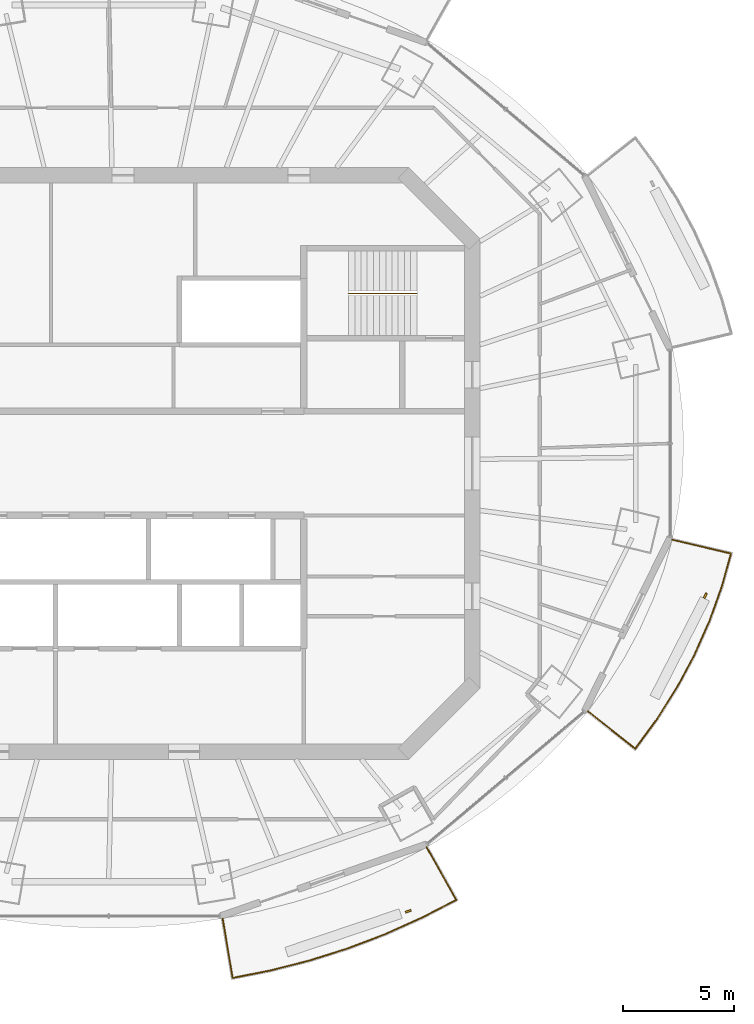
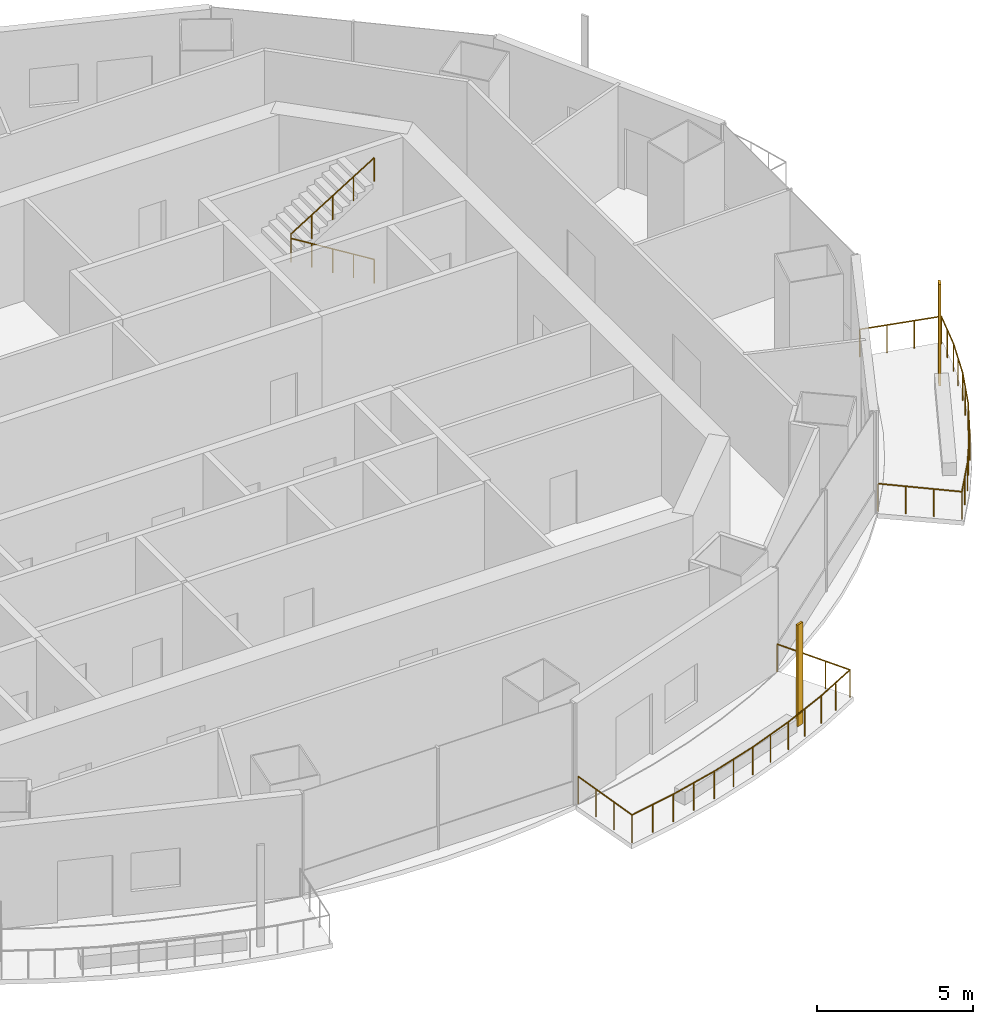
# One storey, part 13 of 16: 3 railings, 2 shading devices.
"""IFC4 building model written with IfcOpenShell, lengths in metres."""

import ifcopenshell
import ifcopenshell.guid

model = None  # the IFC model being written
_history = None  # IfcOwnerHistory: only IFC2X3 demands one
_inside = {}  # id of a spatial element -> (the spatial element, [elements in it])
_under = {}  # id of a project, library or spatial element -> (it, [spatial elements below it])
_declared = {}  # id of a project -> (the project, [libraries it declares])
_typed = {}  # id of a type object -> (the type object, [elements of that type])
_made_of = {}  # id of a material, layer set ... -> (it, [elements and type objects made of it])


def new_model(schema):
    """Start an empty IFC model of exactly this schema.

    Asked for "IFC4X3", IfcOpenShell would pick the latest addendum, in which some entities
    have other attributes; the version numbers below select the first issue.
    IFC2X3 requires an IfcOwnerHistory on every rooted entity: one is made here for all.
    """
    global model, _history
    if schema == "IFC4X3":
        model = ifcopenshell.file(schema_version=(4, 3, 0, 0))
    else:
        model = ifcopenshell.file(schema=schema)
    _inside.clear()
    _under.clear()
    _declared.clear()
    _typed.clear()
    _made_of.clear()
    _history = None
    if model.schema == "IFC2X3":
        org = make("IfcOrganization", Name="unknown")
        user = make(
            "IfcPersonAndOrganization",
            ThePerson=make("IfcPerson", FamilyName="unknown"),
            TheOrganization=org,
        )
        app = make(
            "IfcApplication",
            ApplicationDeveloper=org,
            Version="unknown",
            ApplicationFullName="unknown",
            ApplicationIdentifier="unknown",
        )
        _history = make(
            "IfcOwnerHistory",
            OwningUser=user,
            OwningApplication=app,
            ChangeAction="ADDED",
            CreationDate=0,
        )
    return model


def make(cls, **values):
    """One entity of the class cls with the attributes given. An attribute that is None is left unset."""
    return model.create_entity(
        cls, **{name: value for name, value in values.items() if value is not None}
    )


def rooted(cls, **values):
    """An entity with a GlobalId (a new one), such as an element, a storey or a relation."""
    return make(cls, GlobalId=ifcopenshell.guid.new(), OwnerHistory=_history, **values)


def si_unit(unit_type, name, prefix=None):
    """IfcSIUnit, for example si_unit("LENGTHUNIT", "METRE", prefix="MILLI")."""
    return make("IfcSIUnit", UnitType=unit_type, Prefix=prefix, Name=name)


def assignment(units):
    """IfcUnitAssignment: the units of a project."""
    return None if units is None else make("IfcUnitAssignment", Units=units)


def point(xyz):
    """IfcCartesianPoint."""
    return None if xyz is None else make("IfcCartesianPoint", Coordinates=xyz)


def direction(xyz):
    """IfcDirection."""
    return None if xyz is None else make("IfcDirection", DirectionRatios=xyz)


def frame(location, z_axis=None, x_axis=None):
    """IfcAxis2Placement3D, a coordinate frame: its origin and axes. An axis left out is left unset."""
    return make(
        "IfcAxis2Placement3D",
        Location=point(location),
        Axis=direction(z_axis),
        RefDirection=direction(x_axis),
    )


def frame_2d(location, x_axis=None):
    """IfcAxis2Placement2D, a coordinate frame in the plane: its origin and x axis."""
    return make(
        "IfcAxis2Placement2D", Location=point(location), RefDirection=direction(x_axis)
    )


def origin():
    """The frame at (0, 0, 0) with its axes left unset."""
    return frame((0.0, 0.0, 0.0))


def origin_2d():
    """The frame at (0, 0) in the plane with its x axis left unset."""
    return frame_2d((0.0, 0.0))


def place(relative_to, where):
    """IfcLocalPlacement: puts the frame where relative to a parent placement (None: the world)."""
    return make(
        "IfcLocalPlacement", PlacementRelTo=relative_to, RelativePlacement=where
    )


def context(
    kind, dimensions, precision=None, world=None, true_north=None, identifier=None
):
    """IfcGeometricRepresentationContext, for example the 3D "Model" context."""
    return make(
        "IfcGeometricRepresentationContext",
        ContextIdentifier=identifier,
        ContextType=kind,
        CoordinateSpaceDimension=dimensions,
        Precision=precision,
        WorldCoordinateSystem=world,
        TrueNorth=true_north,
    )


def subcontext(parent, identifier, kind, view, scale=None):
    """IfcGeometricRepresentationSubContext, for example "Body" below "Model"."""
    return make(
        "IfcGeometricRepresentationSubContext",
        ContextIdentifier=identifier,
        ContextType=kind,
        ParentContext=parent,
        TargetScale=scale,
        TargetView=view,
    )


def project(units=None, contexts=None):
    """IfcProject with its units and contexts."""
    return rooted(
        "IfcProject",
        Name="project",
        RepresentationContexts=contexts,
        UnitsInContext=assignment(units),
    )


def spatial(cls, under=None, at=None, **own):
    """A site, building, storey or space (cls), placed at a placement, below another one or the project."""
    s = rooted(cls, ObjectPlacement=at, **own)
    if under is not None:
        _under.setdefault(under.id(), (under, []))[1].append(s)
    return s


def profile(cls, at=None, kind="AREA", **sizes):
    """A parametric profile (cls). Its sizes go by their IFC names, for example OverallWidth=200.0."""
    return make(cls, ProfileType=kind, Position=at, **sizes)


def rectangle(**sizes):
    """IfcRectangleProfileDef."""
    return profile("IfcRectangleProfileDef", **sizes)


def circle(**sizes):
    """IfcCircleProfileDef."""
    return profile("IfcCircleProfileDef", **sizes)


def extrude(swept, where, along, depth):
    """IfcExtrudedAreaSolid: the profile swept, set in the frame where, extruded along a direction by depth."""
    return make(
        "IfcExtrudedAreaSolid",
        SweptArea=swept,
        Position=where,
        ExtrudedDirection=direction(along),
        Depth=depth,
    )


def shape(context_of_items, identifier, shape_type, items):
    """IfcShapeRepresentation: the items that make up one representation, for example the "Body"."""
    return make(
        "IfcShapeRepresentation",
        ContextOfItems=context_of_items,
        RepresentationIdentifier=identifier,
        RepresentationType=shape_type,
        Items=items,
    )


def material(Name=None, Category=None):
    """IfcMaterial."""
    return make("IfcMaterial", Name=Name, Category=Category)


def material_profile(
    of_material, cross_section, Name=None, Category=None, Priority=None
):
    """IfcMaterialProfile: a cross section and its material."""
    return make(
        "IfcMaterialProfile",
        Name=Name,
        Material=of_material,
        Profile=cross_section,
        Priority=Priority,
        Category=Category,
    )


def profile_set(profiles, Name=None, composite=None):
    """IfcMaterialProfileSet."""
    return make(
        "IfcMaterialProfileSet",
        Name=Name,
        MaterialProfiles=profiles,
        CompositeProfile=composite,
    )


def made_of(thing, what):
    """Note that an element or type object is made of a material, layer set ...; save() writes the relation."""
    if what is not None:
        _made_of.setdefault(what.id(), (what, []))[1].append(thing)
    return thing


def type_object(cls, material=None, **own):
    """A type object (cls), such as IfcWallType, which elements share."""
    return made_of(rooted(cls, **own), material)


def element(
    cls,
    number,
    at=None,
    inside=None,
    cuts=None,
    type_object=None,
    material=None,
    context=None,
    identifier="Body",
    shape_type=None,
    held_by="IfcProductDefinitionShape",
    body=None,
    shapes=None,
    **own,
):
    """One element of the class cls, such as IfcWall. Its Tag is "e" and its number.

    at: its placement. inside: the storey or other place that contains it. cuts: it is an
    opening in that element (IfcRelVoidsElement). A single representation is given by context,
    identifier, shape_type and body (its items); several are given by shapes. held_by: the class
    of the entity that holds the representations. save() writes the other relations.
    """
    e = rooted(cls, Tag="e%d" % number, ObjectPlacement=at, **own)
    if body is not None:
        shapes = [shape(context, identifier, shape_type, body)]
    if shapes is not None:
        e.Representation = make(held_by, Representations=shapes)
    if inside is not None:
        _inside.setdefault(inside.id(), (inside, []))[1].append(e)
    if cuts is not None:
        rooted(
            "IfcRelVoidsElement", RelatingBuildingElement=cuts, RelatedOpeningElement=e
        )
    if type_object is not None:
        _typed.setdefault(type_object.id(), (type_object, []))[1].append(e)
    return made_of(e, material)


def aggregate(whole, parts):
    """IfcRelAggregates: a whole, such as a stair, and the parts it consists of."""
    return rooted("IfcRelAggregates", RelatingObject=whole, RelatedObjects=parts)


def save(model, path):
    """Write the relations noted so far, then the file.

    IfcRelAggregates (storeys below a building ...), IfcRelContainedInSpatialStructure (elements
    in a storey), IfcRelDefinesByType, IfcRelAssociatesMaterial and IfcRelDeclares: one each for
    every whole, place, type object, material and project.
    """
    for whole, parts in _under.values():
        aggregate(whole, parts)
    for where, things in _inside.values():
        rooted(
            "IfcRelContainedInSpatialStructure",
            RelatedElements=things,
            RelatingStructure=where,
        )
    for kind, things in _typed.values():
        rooted("IfcRelDefinesByType", RelatedObjects=things, RelatingType=kind)
    for what, things in _made_of.values():
        rooted("IfcRelAssociatesMaterial", RelatedObjects=things, RelatingMaterial=what)
    for by, libraries in _declared.values():
        rooted("IfcRelDeclares", RelatingContext=by, RelatedDefinitions=libraries)
    model.write(path)


model = new_model("IFC4")

# Units and contexts
model_context = context("Model", 3, precision=1e-05, world=origin(), true_north=direction((0.0, 1.0)))
body_context = subcontext(model_context, "Body", "Model", "MODEL_VIEW")
ifc_project = project(units=[si_unit("LENGTHUNIT", "METRE"), si_unit("AREAUNIT", "SQUARE_METRE"), si_unit("VOLUMEUNIT", "CUBIC_METRE"), si_unit("PLANEANGLEUNIT", "RADIAN"), si_unit("MASSUNIT", "GRAM", prefix="KILO")], contexts=[model_context])

# Site, building, storey
site_placement = place(None, origin())
site = spatial("IfcSite", under=ifc_project, at=site_placement, CompositionType="ELEMENT")
building_placement = place(site_placement, origin())
building = spatial("IfcBuilding", under=site, at=building_placement, Name="Marenthal Gate Tower", CompositionType="ELEMENT")
storey_placement = place(building_placement, frame((0.0, 0.0, 371.64990234375)))
storey = spatial("IfcBuildingStorey", under=building, at=storey_placement, Name="L84", CompositionType="ELEMENT", Elevation=371.64990234375)

# Railings
ifc_material_1 = material(Name="Stainless steel", Category="steel")
railing_type_1 = type_object("IfcRailingType", Name="Balcony guard 1100", PredefinedType="GUARDRAIL", material=ifc_material_1)
railing_1_placement = place(storey_placement, frame((13.94287109375, -17.3193359375, 0.0)))
element("IfcRailing", 1, at=railing_1_placement, inside=storey, type_object=railing_type_1, Name="Balcony guard L84 bay 13", PredefinedType="GUARDRAIL", context=body_context, shape_type="SweptSolid", body=[
    extrude(circle(Radius=0.02392578125, at=origin_2d()), frame((0.0, 0.0, 1.076171875), z_axis=(0.491022437076, -0.871024081854, -0.014629255574), x_axis=(0.871117302978, 0.491074988624, 0.0)), (0.0, 0.0, 1.0), 2.72021484375),
    extrude(circle(Radius=0.02392578125, at=origin_2d()), frame((1.335693359375, -2.369384765625, 1.0361328125), z_axis=(-0.886322623965, -0.463068252257, 0.0), x_axis=(0.463068252257, -0.886322623965, 0.0)), (0.0, 0.0, 1.0), 1.7109375),
    extrude(circle(Radius=0.02392578125, at=origin_2d()), frame((-0.1806640625, -3.16162109375, 1.0361328125), z_axis=(-0.911738959801, -0.410770092851, 0.0), x_axis=(0.410770092851, -0.911738959801, 0.0)), (0.0, 0.0, 1.0), 1.802734375),
    extrude(circle(Radius=0.02392578125, at=origin_2d()), frame((-1.82421875, -3.902099609375, 1.0361328125), z_axis=(-0.934175957833, -0.356812667665, 0.0), x_axis=(0.356812667665, -0.934175957833, 0.0)), (0.0, 0.0, 1.0), 1.813232421875),
    extrude(circle(Radius=0.02392578125, at=origin_2d()), frame((-3.51806640625, -4.549072265625, 1.0361328125), z_axis=(-0.953191090515, -0.302368558158, 0.0), x_axis=(0.302368558158, -0.953191090515, 0.0)), (0.0, 0.0, 1.0), 1.822265625),
    extrude(circle(Radius=0.02392578125, at=origin_2d()), frame((-5.255126953125, -5.10009765625, 1.0361328125), z_axis=(-0.968818339515, -0.247772123168, 0.0), x_axis=(0.247772123168, -0.968818339515, 0.0)), (0.0, 0.0, 1.0), 1.830810546875),
    extrude(circle(Radius=0.02392578125, at=origin_2d()), frame((-7.02880859375, -5.5537109375, 1.0361328125), z_axis=(-0.980989908715, -0.194058751412, 0.0), x_axis=(0.194058751412, -0.980989908715, 0.0)), (0.0, 0.0, 1.0), 1.757568359375),
    extrude(circle(Radius=0.02392578125, at=origin_2d()), frame((-8.7529296875, -5.894775390625, 1.0361328125), z_axis=(-0.165414674791, 0.986115589761, 0.014629729783), x_axis=(-0.986221135368, -0.165432379401, 0.0)), (0.0, 0.0, 1.0), 2.72021484375),
    extrude(circle(Radius=0.02099609375, at=origin_2d()), origin(), (0.0, 0.0, 1.0), 1.052001953125),
    extrude(circle(Radius=0.02099609375, at=origin_2d()), frame((0.4453125, -0.789794921875, -0.01318359375)), (0.0, 0.0, 1.0), 1.052001953125),
    extrude(circle(Radius=0.02099609375, at=origin_2d()), frame((0.890380859375, -1.57958984375, -0.026611328125)), (0.0, 0.0, 1.0), 1.052001953125),
    extrude(circle(Radius=0.02099609375, at=origin_2d()), frame((1.335693359375, -2.369384765625, -0.039794921875)), (0.0, 0.0, 1.0), 1.052001953125),
    extrude(circle(Radius=0.02099609375, at=origin_2d()), frame((0.57763671875, -2.765625, -0.039794921875)), (0.0, 0.0, 1.0), 1.052001953125),
    extrude(circle(Radius=0.02099609375, at=origin_2d()), frame((-0.1806640625, -3.16162109375, -0.039794921875)), (0.0, 0.0, 1.0), 1.052001953125),
    extrude(circle(Radius=0.02099609375, at=origin_2d()), frame((-1.00244140625, -3.53173828125, -0.039794921875)), (0.0, 0.0, 1.0), 1.052001953125),
    extrude(circle(Radius=0.02099609375, at=origin_2d()), frame((-1.82421875, -3.902099609375, -0.039794921875)), (0.0, 0.0, 1.0), 1.052001953125),
    extrude(circle(Radius=0.02099609375, at=origin_2d()), frame((-2.671142578125, -4.2255859375, -0.039794921875)), (0.0, 0.0, 1.0), 1.052001953125),
    extrude(circle(Radius=0.02099609375, at=origin_2d()), frame((-3.51806640625, -4.549072265625, -0.039794921875)), (0.0, 0.0, 1.0), 1.052001953125),
    extrude(circle(Radius=0.02099609375, at=origin_2d()), frame((-4.38671875, -4.82470703125, -0.039794921875)), (0.0, 0.0, 1.0), 1.052001953125),
    extrude(circle(Radius=0.02099609375, at=origin_2d()), frame((-5.255126953125, -5.10009765625, -0.039794921875)), (0.0, 0.0, 1.0), 1.052001953125),
    extrude(circle(Radius=0.02099609375, at=origin_2d()), frame((-6.14208984375, -5.326904296875, -0.039794921875)), (0.0, 0.0, 1.0), 1.052001953125),
    extrude(circle(Radius=0.02099609375, at=origin_2d()), frame((-7.02880859375, -5.5537109375, -0.039794921875)), (0.0, 0.0, 1.0), 1.052001953125),
    extrude(circle(Radius=0.02099609375, at=origin_2d()), frame((-7.890869140625, -5.72412109375, -0.039794921875)), (0.0, 0.0, 1.0), 1.052001953125),
    extrude(circle(Radius=0.02099609375, at=origin_2d()), frame((-8.7529296875, -5.894775390625, -0.039794921875)), (0.0, 0.0, 1.0), 1.052001953125),
    extrude(circle(Radius=0.02099609375, at=origin_2d()), frame((-8.90283203125, -5.000732421875, -0.026611328125)), (0.0, 0.0, 1.0), 1.052001953125),
    extrude(circle(Radius=0.02099609375, at=origin_2d()), frame((-9.052978515625, -4.1064453125, -0.01318359375)), (0.0, 0.0, 1.0), 1.052001953125),
    extrude(circle(Radius=0.02099609375, at=origin_2d()), frame((-9.202880859375, -3.21240234375, 0.0)), (0.0, 0.0, 1.0), 1.052001953125),
])
railing_2_placement = place(storey_placement, frame((25.025146484375, -3.443359375, 0.0)))
element("IfcRailing", 2, at=railing_2_placement, inside=storey, type_object=railing_type_1, Name="Balcony guard L84 bay 15", PredefinedType="GUARDRAIL", context=body_context, shape_type="SweptSolid", body=[
    extrude(circle(Radius=0.02392578125, at=origin_2d()), frame((0.0, 0.0, 1.076171875), z_axis=(0.973203437972, -0.229480006538, -0.014628565141), x_axis=(0.229504564257, 0.973307584983, 0.0)), (0.0, 0.0, 1.0), 2.720458984375),
    extrude(circle(Radius=0.02392578125, at=origin_2d()), frame((2.6474609375, -0.624267578125, 1.0361328125), z_axis=(-0.268460599739, -0.963290665577, 0.0), x_axis=(0.963290665577, -0.268460599739, 0.0)), (0.0, 0.0, 1.0), 1.572265625),
    extrude(circle(Radius=0.02392578125, at=origin_2d()), frame((2.225341796875, -2.138916015625, 1.0361328125), z_axis=(-0.338563156163, -0.940943669562, 0.0), x_axis=(0.940943669562, -0.338563156163, 0.0)), (0.0, 0.0, 1.0), 1.6591796875),
    extrude(circle(Radius=0.02392578125, at=origin_2d()), frame((1.66357421875, -3.7001953125, 1.0361328125), z_axis=(-0.407659561492, -0.913133989031, 0.0), x_axis=(0.913133989031, -0.407659561492, 0.0)), (0.0, 0.0, 1.0), 1.667236328125),
    extrude(circle(Radius=0.02392578125, at=origin_2d()), frame((0.98388671875, -5.22265625, 1.0361328125), z_axis=(-0.473457232822, -0.880816807679, 0.0), x_axis=(0.880816807679, -0.473457232822, 0.0)), (0.0, 0.0, 1.0), 1.677001953125),
    extrude(circle(Radius=0.02392578125, at=origin_2d()), frame((0.18994140625, -6.69970703125, 1.0361328125), z_axis=(-0.535461509908, -0.844559631646, 0.0), x_axis=(0.844559631646, -0.535461509908, 0.0)), (0.0, 0.0, 1.0), 1.68798828125),
    extrude(circle(Radius=0.02392578125, at=origin_2d()), frame((-0.7138671875, -8.125244140625, 1.0361328125), z_axis=(-0.592278211016, -0.805733529621, 0.0), x_axis=(0.805733529621, -0.592278211016, 0.0)), (0.0, 0.0, 1.0), 1.61962890625),
    extrude(circle(Radius=0.02392578125, at=origin_2d()), frame((-1.673095703125, -9.43017578125, 1.0361328125), z_axis=(-0.783849084022, 0.620779037575, 0.014628738344), x_axis=(-0.62084547159, -0.783932969332, 0.0)), (0.0, 0.0, 1.0), 2.72021484375),
    extrude(circle(Radius=0.02099609375, at=origin_2d()), origin(), (0.0, 0.0, 1.0), 1.052001953125),
    extrude(circle(Radius=0.02099609375, at=origin_2d()), frame((0.882568359375, -0.2080078125, -0.01318359375)), (0.0, 0.0, 1.0), 1.052001953125),
    extrude(circle(Radius=0.02099609375, at=origin_2d()), frame((1.764892578125, -0.416259765625, -0.026611328125)), (0.0, 0.0, 1.0), 1.052001953125),
    extrude(circle(Radius=0.02099609375, at=origin_2d()), frame((2.6474609375, -0.624267578125, -0.039794921875)), (0.0, 0.0, 1.0), 1.052001953125),
    extrude(circle(Radius=0.02099609375, at=origin_2d()), frame((2.4365234375, -1.381591796875, -0.039794921875)), (0.0, 0.0, 1.0), 1.052001953125),
    extrude(circle(Radius=0.02099609375, at=origin_2d()), frame((2.225341796875, -2.138916015625, -0.039794921875)), (0.0, 0.0, 1.0), 1.052001953125),
    extrude(circle(Radius=0.02099609375, at=origin_2d()), frame((1.9443359375, -2.91943359375, -0.039794921875)), (0.0, 0.0, 1.0), 1.052001953125),
    extrude(circle(Radius=0.02099609375, at=origin_2d()), frame((1.66357421875, -3.7001953125, -0.039794921875)), (0.0, 0.0, 1.0), 1.052001953125),
    extrude(circle(Radius=0.02099609375, at=origin_2d()), frame((1.32373046875, -4.46142578125, -0.039794921875)), (0.0, 0.0, 1.0), 1.052001953125),
    extrude(circle(Radius=0.02099609375, at=origin_2d()), frame((0.98388671875, -5.22265625, -0.039794921875)), (0.0, 0.0, 1.0), 1.052001953125),
    extrude(circle(Radius=0.02099609375, at=origin_2d()), frame((0.5869140625, -5.961181640625, -0.039794921875)), (0.0, 0.0, 1.0), 1.052001953125),
    extrude(circle(Radius=0.02099609375, at=origin_2d()), frame((0.18994140625, -6.69970703125, -0.039794921875)), (0.0, 0.0, 1.0), 1.052001953125),
    extrude(circle(Radius=0.02099609375, at=origin_2d()), frame((-0.261962890625, -7.41259765625, -0.039794921875)), (0.0, 0.0, 1.0), 1.052001953125),
    extrude(circle(Radius=0.02099609375, at=origin_2d()), frame((-0.7138671875, -8.125244140625, -0.039794921875)), (0.0, 0.0, 1.0), 1.052001953125),
    extrude(circle(Radius=0.02099609375, at=origin_2d()), frame((-1.193359375, -8.77783203125, -0.039794921875)), (0.0, 0.0, 1.0), 1.052001953125),
    extrude(circle(Radius=0.02099609375, at=origin_2d()), frame((-1.673095703125, -9.43017578125, -0.039794921875)), (0.0, 0.0, 1.0), 1.052001953125),
    extrude(circle(Radius=0.02099609375, at=origin_2d()), frame((-2.3837890625, -8.8671875, -0.026611328125)), (0.0, 0.0, 1.0), 1.052001953125),
    extrude(circle(Radius=0.02099609375, at=origin_2d()), frame((-3.0947265625, -8.304443359375, -0.01318359375)), (0.0, 0.0, 1.0), 1.052001953125),
    extrude(circle(Radius=0.02099609375, at=origin_2d()), frame((-3.805419921875, -7.741455078125, 0.0)), (0.0, 0.0, 1.0), 1.052001953125),
])
ifc_material_2 = material(Name="Stainless steel", Category="steel")
railing_type_2 = type_object("IfcRailingType", Name="Stair handrail", PredefinedType="HANDRAIL", material=ifc_material_2)
railing_3_placement = place(storey_placement, frame((13.5, 7.675048828125, 0.173095703125)))
element("IfcRailing", 3, at=railing_3_placement, inside=storey, type_object=railing_type_2, Name="Handrail ST3", PredefinedType="HANDRAIL", context=body_context, shape_type="SweptSolid", body=[
    extrude(circle(Radius=0.0224609375, at=origin_2d()), frame((0.0, 0.0, 0.927490234375), z_axis=(-0.850835241893, 0.0, 0.525432575268), x_axis=(0.0, -1.0, 0.0)), (0.0, 0.0, 1.0), 3.6201171875),
    extrude(circle(Radius=0.0224609375, at=origin_2d()), frame((-3.080078125, 0.0, 2.82958984375), z_axis=(0.0, 0.0, 1.0), x_axis=(1.0, 0.0, 0.0)), (0.0, 0.0, 1.0), 0.1728515625),
    extrude(circle(Radius=0.0224609375, at=origin_2d()), frame((-3.080078125, 0.0, 3.00244140625), z_axis=(0.850835241893, 0.0, 0.525432575268), x_axis=(0.0, 1.0, 0.0)), (0.0, 0.0, 1.0), 3.6201171875),
    extrude(circle(Radius=0.02001953125, at=origin_2d()), origin(), (0.0, 0.0, 1.0), 0.905029296875),
    extrude(circle(Radius=0.02001953125, at=origin_2d()), frame((-0.77001953125, 0.0, 0.4755859375)), (0.0, 0.0, 1.0), 0.905029296875),
    extrude(circle(Radius=0.02001953125, at=origin_2d()), frame((-1.5400390625, 0.0, 0.951171875)), (0.0, 0.0, 1.0), 0.905029296875),
    extrude(circle(Radius=0.02001953125, at=origin_2d()), frame((-2.31005859375, 0.0, 1.426513671875)), (0.0, 0.0, 1.0), 0.905029296875),
    extrude(circle(Radius=0.02001953125, at=origin_2d()), frame((-3.080078125, 0.0, 1.902099609375)), (0.0, 0.0, 1.0), 0.905029296875),
    extrude(circle(Radius=0.02001953125, at=origin_2d()), frame((-3.080078125, 0.0, 2.074951171875)), (0.0, 0.0, 1.0), 0.905029296875),
    extrude(circle(Radius=0.02001953125, at=origin_2d()), frame((-2.31005859375, 0.0, 2.550537109375)), (0.0, 0.0, 1.0), 0.905029296875),
    extrude(circle(Radius=0.02001953125, at=origin_2d()), frame((-1.5400390625, 0.0, 3.02587890625)), (0.0, 0.0, 1.0), 0.905029296875),
    extrude(circle(Radius=0.02001953125, at=origin_2d()), frame((-0.77001953125, 0.0, 3.50146484375)), (0.0, 0.0, 1.0), 0.905029296875),
    extrude(circle(Radius=0.02001953125, at=origin_2d()), frame((0.0, 0.0, 3.97705078125)), (0.0, 0.0, 1.0), 0.905029296875),
])

# Shading devices
ifc_material_3 = material(Name="Terracotta", Category="masonry")
ifc_material_profile = material_profile(ifc_material_3, rectangle(XDim=0.25, YDim=0.080078125, at=origin_2d()), Name="Terracotta baguette 250x80")
ifc_profile_set = profile_set([ifc_material_profile], Name="Terracotta")
shading_device_type = type_object("IfcShadingDeviceType", Name="Terracotta BAGUETTE SCREEN 250x80", PredefinedType="USERDEFINED", material=ifc_profile_set)
for number, where, z_axis, x_axis, name in (
    (4, (13.11328125, -20.204833984375, -0.039794921875), (0.0, 0.0, 1.0), (0.944082187386, 0.329710211338, 0.0), "Terracotta BAGUETTE L84 bay 13R"),
    (5, (26.5126953125, -5.966796875, -0.039794921875), (0.0, 0.0, 1.0), (0.44093893362, 0.897537106096, 0.0), "Terracotta BAGUETTE L84 bay 15R"),
):
    element("IfcShadingDevice", number, at=place(storey_placement, frame(where, z_axis=z_axis, x_axis=x_axis)), inside=storey, type_object=shading_device_type, Name=name, ObjectType="BAGUETTE SCREEN", PredefinedType="USERDEFINED", context=body_context, shape_type="SweptSolid", body=[
        extrude(rectangle(XDim=0.25, YDim=0.080078125, at=origin_2d()), origin(), (0.0, 0.0, 1.0), 3.969970703125),
    ])

save(model, "model.ifc")
